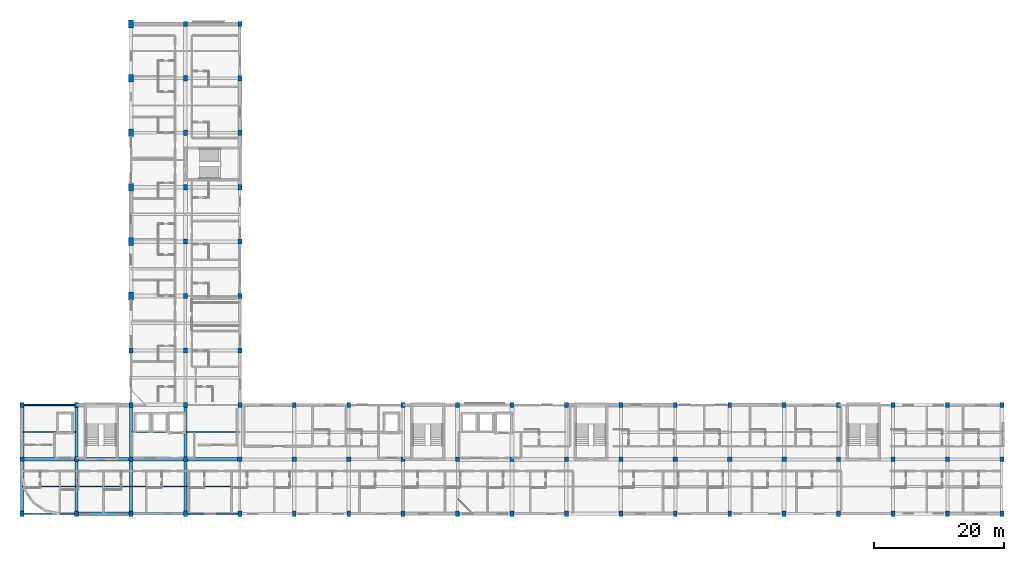
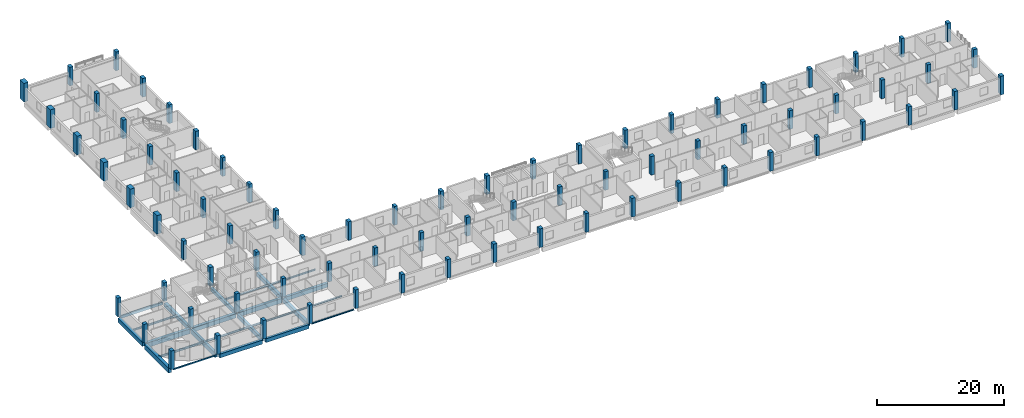
# One storey, part 1 of 26: 78 columns, 24 beams.
"""IFC4 building model written with IfcOpenShell, lengths in metres."""

from ifc_helpers import new_model, si_unit, derived_unit, direction, frame, origin, origin_2d, place, context, subcontext, project, spatial, rectangle, hollow_rectangle, i_section, extrude, material, material_profile, profile_set, type_object, element, save


model = new_model("IFC4")

# Units and contexts
model_context = context("Model", 3, precision=1e-05, world=origin(), true_north=direction((0.0, 1.0)))
body_context = subcontext(model_context, "Body", "Model", "MODEL_VIEW")
ifc_project = project(units=[si_unit("LENGTHUNIT", "METRE"), si_unit("AREAUNIT", "SQUARE_METRE"), si_unit("VOLUMEUNIT", "CUBIC_METRE"), si_unit("PLANEANGLEUNIT", "RADIAN"), si_unit("MASSUNIT", "GRAM", prefix="KILO"), derived_unit("THERMALTRANSMITTANCEUNIT", [(si_unit("POWERUNIT", "WATT"), 1), (si_unit("LENGTHUNIT", "METRE"), -2), (si_unit("THERMODYNAMICTEMPERATUREUNIT", "KELVIN"), -1)])], contexts=[model_context])

# Site, building, storey
site_placement = place(None, origin())
site = spatial("IfcSite", under=ifc_project, at=site_placement, CompositionType="ELEMENT")
building_placement = place(site_placement, origin())
building = spatial("IfcBuilding", under=site, at=building_placement, Name="Barrovel Congress Hotel", CompositionType="ELEMENT")
storey_placement = place(building_placement, frame((0.0, 0.0, 21.89990234375)))
storey = spatial("IfcBuildingStorey", under=building, at=storey_placement, Name="L05", CompositionType="ELEMENT", Elevation=21.89990234375)

# Columns
ifc_material_1 = material(Name="Concrete C40", Category="concrete")
ifc_material_profile_1 = material_profile(ifc_material_1, rectangle(XDim=0.60009765625, YDim=0.800048828125, at=origin_2d()), Name="RC600x800")
ifc_profile_set_1 = profile_set([ifc_material_profile_1], Name="Concrete C40")
column_type_1 = type_object("IfcColumnType", Name="COL-RC600x800", PredefinedType="COLUMN", material=ifc_profile_set_1)
for number, where, z_axis, x_axis, name in (
    (1, (16.800048828125, 4.199951171875, 0.0), (0.0, 0.0, 1.0), (1.0, 0.0, 0.0), "COL:L05:16.8:4.2"),
    (2, (16.800048828125, 21.0, 0.0), (0.0, 0.0, 1.0), (1.0, 0.0, 0.0), "COL:L05:16.8:21.0"),
    (3, (25.199951171875, 4.199951171875, 0.0), (0.0, 0.0, 1.0), (1.0, 0.0, 0.0), "COL:L05:25.2:4.2"),
    (4, (25.199951171875, 21.0, 0.0), (0.0, 0.0, 1.0), (1.0, 0.0, 0.0), "COL:L05:25.2:21.0"),
    (5, (33.60009765625, 4.199951171875, 0.0), (0.0, 0.0, 1.0), (1.0, 0.0, 0.0), "COL:L05:33.6:4.2"),
    (6, (33.60009765625, 21.0, 0.0), (0.0, 0.0, 1.0), (1.0, 0.0, 0.0), "COL:L05:33.6:21.0"),
    (7, (33.60009765625, 29.39990234375, 0.0), (0.0, 0.0, 1.0), (1.0, 0.0, 0.0), "COL:L05:33.6:29.4"),
    (8, (42.0, 4.199951171875, 0.0), (0.0, 0.0, 1.0), (1.0, 0.0, 0.0), "COL:L05:42.0:4.2"),
    (9, (42.0, 21.0, 0.0), (0.0, 0.0, 1.0), (1.0, 0.0, 0.0), "COL:L05:42.0:21.0"),
    (10, (42.0, 29.39990234375, 0.0), (0.0, 0.0, 1.0), (1.0, 0.0, 0.0), "COL:L05:42.0:29.4"),
    (11, (42.0, 37.800048828125, 0.0), (0.0, 0.0, 1.0), (1.0, 0.0, 0.0), "COL:L05:42.0:37.8"),
    (12, (42.0, 46.199951171875, 0.0), (0.0, 0.0, 1.0), (1.0, 0.0, 0.0), "COL:L05:42.0:46.2"),
    (13, (42.0, 54.60009765625, 0.0), (0.0, 0.0, 1.0), (1.0, 0.0, 0.0), "COL:L05:42.0:54.6"),
    (14, (42.0, 63.0, 0.0), (0.0, 0.0, 1.0), (1.0, 0.0, 0.0), "COL:L05:42.0:63.0"),
    (15, (42.0, 71.39990234375, 0.0), (0.0, 0.0, 1.0), (1.0, 0.0, 0.0), "COL:L05:42.0:71.4"),
    (16, (42.0, 79.800048828125, 0.0), (0.0, 0.0, 1.0), (1.0, 0.0, 0.0), "COL:L05:42.0:79.8"),
    (17, (50.39990234375, 4.199951171875, 0.0), (0.0, 0.0, 1.0), (1.0, 0.0, 0.0), "COL:L05:50.4:4.2"),
    (18, (50.39990234375, 21.0, 0.0), (0.0, 0.0, 1.0), (1.0, 0.0, 0.0), "COL:L05:50.4:21.0"),
    (19, (50.39990234375, 29.39990234375, 0.0), (0.0, 0.0, 1.0), (1.0, 0.0, 0.0), "COL:L05:50.4:29.4"),
    (20, (50.39990234375, 37.800048828125, 0.0), (0.0, 0.0, 1.0), (1.0, 0.0, 0.0), "COL:L05:50.4:37.8"),
    (21, (50.39990234375, 46.199951171875, 0.0), (0.0, 0.0, 1.0), (1.0, 0.0, 0.0), "COL:L05:50.4:46.2"),
    (22, (50.39990234375, 54.60009765625, 0.0), (0.0, 0.0, 1.0), (1.0, 0.0, 0.0), "COL:L05:50.4:54.6"),
    (23, (50.39990234375, 63.0, 0.0), (0.0, 0.0, 1.0), (1.0, 0.0, 0.0), "COL:L05:50.4:63.0"),
    (24, (50.39990234375, 71.39990234375, 0.0), (0.0, 0.0, 1.0), (1.0, 0.0, 0.0), "COL:L05:50.4:71.4"),
    (25, (50.39990234375, 79.800048828125, 0.0), (0.0, 0.0, 1.0), (1.0, 0.0, 0.0), "COL:L05:50.4:79.8"),
    (26, (58.800048828125, 4.199951171875, 0.0), (0.0, 0.0, 1.0), (1.0, 0.0, 0.0), "COL:L05:58.8:4.2"),
    (27, (58.800048828125, 21.0, 0.0), (0.0, 0.0, 1.0), (1.0, 0.0, 0.0), "COL:L05:58.8:21.0"),
    (28, (67.199951171875, 4.199951171875, 0.0), (0.0, 0.0, 1.0), (1.0, 0.0, 0.0), "COL:L05:67.2:4.2"),
    (29, (67.199951171875, 21.0, 0.0), (0.0, 0.0, 1.0), (1.0, 0.0, 0.0), "COL:L05:67.2:21.0"),
    (30, (75.60009765625, 4.199951171875, 0.0), (0.0, 0.0, 1.0), (1.0, 0.0, 0.0), "COL:L05:75.6:4.2"),
    (31, (75.60009765625, 21.0, 0.0), (0.0, 0.0, 1.0), (1.0, 0.0, 0.0), "COL:L05:75.6:21.0"),
    (32, (84.0, 4.199951171875, 0.0), (0.0, 0.0, 1.0), (1.0, 0.0, 0.0), "COL:L05:84.0:4.2"),
    (33, (84.0, 21.0, 0.0), (0.0, 0.0, 1.0), (1.0, 0.0, 0.0), "COL:L05:84.0:21.0"),
    (34, (92.39990234375, 4.199951171875, 0.0), (0.0, 0.0, 1.0), (1.0, 0.0, 0.0), "COL:L05:92.4:4.2"),
    (35, (92.39990234375, 21.0, 0.0), (0.0, 0.0, 1.0), (1.0, 0.0, 0.0), "COL:L05:92.4:21.0"),
    (36, (100.800048828125, 4.199951171875, 0.0), (0.0, 0.0, 1.0), (1.0, 0.0, 0.0), "COL:L05:100.8:4.2"),
    (37, (100.800048828125, 21.0, 0.0), (0.0, 0.0, 1.0), (1.0, 0.0, 0.0), "COL:L05:100.8:21.0"),
    (38, (109.199951171875, 4.199951171875, 0.0), (0.0, 0.0, 1.0), (1.0, 0.0, 0.0), "COL:L05:109.2:4.2"),
    (39, (109.199951171875, 21.0, 0.0), (0.0, 0.0, 1.0), (1.0, 0.0, 0.0), "COL:L05:109.2:21.0"),
    (40, (117.60009765625, 4.199951171875, 0.0), (0.0, 0.0, 1.0), (1.0, 0.0, 0.0), "COL:L05:117.6:4.2"),
    (41, (117.60009765625, 21.0, 0.0), (0.0, 0.0, 1.0), (1.0, 0.0, 0.0), "COL:L05:117.6:21.0"),
    (42, (126.0, 4.199951171875, 0.0), (0.0, 0.0, 1.0), (1.0, 0.0, 0.0), "COL:L05:126.0:4.2"),
    (43, (126.0, 21.0, 0.0), (0.0, 0.0, 1.0), (1.0, 0.0, 0.0), "COL:L05:126.0:21.0"),
    (44, (134.39990234375, 4.199951171875, 0.0), (0.0, 0.0, 1.0), (1.0, 0.0, 0.0), "COL:L05:134.4:4.2"),
    (45, (134.39990234375, 21.0, 0.0), (0.0, 0.0, 1.0), (1.0, 0.0, 0.0), "COL:L05:134.4:21.0"),
    (46, (142.800048828125, 4.199951171875, 0.0), (0.0, 0.0, 1.0), (1.0, 0.0, 0.0), "COL:L05:142.8:4.2"),
    (47, (142.800048828125, 21.0, 0.0), (0.0, 0.0, 1.0), (1.0, 0.0, 0.0), "COL:L05:142.8:21.0"),
    (48, (151.199951171875, 4.199951171875, 0.0), (0.0, 0.0, 1.0), (1.0, 0.0, 0.0), "COL:L05:151.2:4.2"),
    (49, (151.199951171875, 21.0, 0.0), (0.0, 0.0, 1.0), (1.0, 0.0, 0.0), "COL:L05:151.2:21.0"),
    (50, (159.60009765625, 4.199951171875, 0.0), (0.0, 0.0, 1.0), (1.0, 0.0, 0.0), "COL:L05:159.6:4.2"),
    (51, (159.60009765625, 21.0, 0.0), (0.0, 0.0, 1.0), (1.0, 0.0, 0.0), "COL:L05:159.6:21.0"),
    (52, (168.0, 4.199951171875, 0.0), (0.0, 0.0, 1.0), (1.0, 0.0, 0.0), "COL:L05:168.0:4.2"),
    (53, (168.0, 21.0, 0.0), (0.0, 0.0, 1.0), (1.0, 0.0, 0.0), "COL:L05:168.0:21.0"),
):
    element("IfcColumn", number, at=place(storey_placement, frame(where, z_axis=z_axis, x_axis=x_axis)), inside=storey, type_object=column_type_1, Name=name, PredefinedType="COLUMN", context=body_context, shape_type="SweptSolid", body=[
        extrude(rectangle(XDim=0.60009765625, YDim=0.800048828125, at=origin_2d()), origin(), (0.0, 0.0, 1.0), 3.60009765625),
    ])
ifc_material_profile_2 = material_profile(ifc_material_1, rectangle(XDim=0.64990234375, YDim=0.64990234375, at=origin_2d()), Name="RC650x650")
ifc_profile_set_2 = profile_set([ifc_material_profile_2], Name="Concrete C40")
column_type_2 = type_object("IfcColumnType", Name="COL-RC650x650", PredefinedType="COLUMN", material=ifc_profile_set_2)
for number, where, z_axis, x_axis, name in (
    (54, (16.800048828125, 12.60009765625, 0.0), (0.0, 0.0, 1.0), (1.0, 0.0, 0.0), "COL:L05:16.8:12.6"),
    (55, (25.199951171875, 12.60009765625, 0.0), (0.0, 0.0, 1.0), (1.0, 0.0, 0.0), "COL:L05:25.2:12.6"),
    (56, (33.60009765625, 12.60009765625, 0.0), (0.0, 0.0, 1.0), (1.0, 0.0, 0.0), "COL:L05:33.6:12.6"),
    (57, (42.0, 12.60009765625, 0.0), (0.0, 0.0, 1.0), (1.0, 0.0, 0.0), "COL:L05:42.0:12.6"),
    (58, (50.39990234375, 12.60009765625, 0.0), (0.0, 0.0, 1.0), (1.0, 0.0, 0.0), "COL:L05:50.4:12.6"),
    (59, (58.800048828125, 12.60009765625, 0.0), (0.0, 0.0, 1.0), (1.0, 0.0, 0.0), "COL:L05:58.8:12.6"),
    (60, (67.199951171875, 12.60009765625, 0.0), (0.0, 0.0, 1.0), (1.0, 0.0, 0.0), "COL:L05:67.2:12.6"),
    (61, (75.60009765625, 12.60009765625, 0.0), (0.0, 0.0, 1.0), (1.0, 0.0, 0.0), "COL:L05:75.6:12.6"),
    (62, (84.0, 12.60009765625, 0.0), (0.0, 0.0, 1.0), (1.0, 0.0, 0.0), "COL:L05:84.0:12.6"),
    (63, (92.39990234375, 12.60009765625, 0.0), (0.0, 0.0, 1.0), (1.0, 0.0, 0.0), "COL:L05:92.4:12.6"),
    (64, (100.800048828125, 12.60009765625, 0.0), (0.0, 0.0, 1.0), (1.0, 0.0, 0.0), "COL:L05:100.8:12.6"),
    (65, (109.199951171875, 12.60009765625, 0.0), (0.0, 0.0, 1.0), (1.0, 0.0, 0.0), "COL:L05:109.2:12.6"),
    (66, (117.60009765625, 12.60009765625, 0.0), (0.0, 0.0, 1.0), (1.0, 0.0, 0.0), "COL:L05:117.6:12.6"),
    (67, (126.0, 12.60009765625, 0.0), (0.0, 0.0, 1.0), (1.0, 0.0, 0.0), "COL:L05:126.0:12.6"),
    (68, (134.39990234375, 12.60009765625, 0.0), (0.0, 0.0, 1.0), (1.0, 0.0, 0.0), "COL:L05:134.4:12.6"),
    (69, (142.800048828125, 12.60009765625, 0.0), (0.0, 0.0, 1.0), (1.0, 0.0, 0.0), "COL:L05:142.8:12.6"),
    (70, (151.199951171875, 12.60009765625, 0.0), (0.0, 0.0, 1.0), (1.0, 0.0, 0.0), "COL:L05:151.2:12.6"),
    (71, (159.60009765625, 12.60009765625, 0.0), (0.0, 0.0, 1.0), (1.0, 0.0, 0.0), "COL:L05:159.6:12.6"),
    (72, (168.0, 12.60009765625, 0.0), (0.0, 0.0, 1.0), (1.0, 0.0, 0.0), "COL:L05:168.0:12.6"),
):
    element("IfcColumn", number, at=place(storey_placement, frame(where, z_axis=z_axis, x_axis=x_axis)), inside=storey, type_object=column_type_2, Name=name, PredefinedType="COLUMN", context=body_context, shape_type="SweptSolid", body=[
        extrude(rectangle(XDim=0.64990234375, YDim=0.64990234375, at=origin_2d()), origin(), (0.0, 0.0, 1.0), 3.60009765625),
    ])
ifc_material_profile_3 = material_profile(ifc_material_1, rectangle(XDim=0.800048828125, YDim=1.199951171875, at=origin_2d()), Name="RC800x1200")
ifc_profile_set_3 = profile_set([ifc_material_profile_3], Name="Concrete C40")
column_type_3 = type_object("IfcColumnType", Name="COL-RC800x1200", PredefinedType="COLUMN", material=ifc_profile_set_3)
for number, where, z_axis, x_axis, name in (
    (73, (33.60009765625, 37.800048828125, 0.0), (0.0, 0.0, 1.0), (1.0, 0.0, 0.0), "COL:L05:33.6:37.8"),
    (74, (33.60009765625, 46.199951171875, 0.0), (0.0, 0.0, 1.0), (1.0, 0.0, 0.0), "COL:L05:33.6:46.2"),
    (75, (33.60009765625, 54.60009765625, 0.0), (0.0, 0.0, 1.0), (1.0, 0.0, 0.0), "COL:L05:33.6:54.6"),
    (76, (33.60009765625, 63.0, 0.0), (0.0, 0.0, 1.0), (1.0, 0.0, 0.0), "COL:L05:33.6:63.0"),
    (77, (33.60009765625, 71.39990234375, 0.0), (0.0, 0.0, 1.0), (1.0, 0.0, 0.0), "COL:L05:33.6:71.4"),
    (78, (33.60009765625, 79.800048828125, 0.0), (0.0, 0.0, 1.0), (1.0, 0.0, 0.0), "COL:L05:33.6:79.8"),
):
    element("IfcColumn", number, at=place(storey_placement, frame(where, z_axis=z_axis, x_axis=x_axis)), inside=storey, type_object=column_type_3, Name=name, PredefinedType="COLUMN", context=body_context, shape_type="SweptSolid", body=[
        extrude(rectangle(XDim=0.800048828125, YDim=1.199951171875, at=origin_2d()), origin(), (0.0, 0.0, 1.0), 3.60009765625),
    ])

# Beams
ifc_material_profile_4 = material_profile(ifc_material_1, rectangle(XDim=0.25, YDim=0.5, at=origin_2d()), Name="RC250x500")
ifc_profile_set_4 = profile_set([ifc_material_profile_4], Name="Concrete C40")
beam_type_1 = type_object("IfcBeamType", Name="BM-RC250x500", PredefinedType="SPANDREL", material=ifc_profile_set_4)
beam_1_placement = place(storey_placement, frame((17.10009765625, 21.0, -0.469970703125), z_axis=(1.0, 0.0, 0.0), x_axis=(0.0, 1.0, 0.0)))
element("IfcBeam", 79, at=beam_1_placement, inside=storey, type_object=beam_type_1, Name="BMX:L05:21.0:16.8-25.2", PredefinedType="SPANDREL", context=body_context, shape_type="SweptSolid", body=[
    extrude(rectangle(XDim=0.25, YDim=0.5, at=origin_2d()), origin(), (0.0, 0.0, 1.0), 7.7998046875),
])
ifc_material_profile_5 = material_profile(ifc_material_1, rectangle(XDim=0.449951171875, YDim=0.64990234375, at=origin_2d()), Name="RC450x650")
ifc_profile_set_5 = profile_set([ifc_material_profile_5], Name="Concrete C40")
beam_type_2 = type_object("IfcBeamType", Name="BM-RC450x650", PredefinedType="BEAM", material=ifc_profile_set_5)
beam_2_placement = place(storey_placement, frame((33.60009765625, 12.925048828125, -0.544921875), z_axis=(0.0, 1.0, 0.0), x_axis=(-1.0, 0.0, 0.0)))
element("IfcBeam", 80, at=beam_2_placement, inside=storey, type_object=beam_type_2, Name="BMY:L05:33.6:12.6-21.0", PredefinedType="BEAM", context=body_context, shape_type="SweptSolid", body=[
    extrude(rectangle(XDim=0.449951171875, YDim=0.64990234375, at=origin_2d()), origin(), (0.0, 0.0, 1.0), 7.675048828125),
])
ifc_material_profile_6 = material_profile(ifc_material_1, rectangle(XDim=0.449951171875, YDim=0.75, at=origin_2d()), Name="RC450x750")
ifc_profile_set_6 = profile_set([ifc_material_profile_6], Name="Concrete C40")
beam_type_3 = type_object("IfcBeamType", Name="BM-RC450x750", PredefinedType="BEAM", material=ifc_profile_set_6)
beam_3_placement = place(storey_placement, frame((33.89990234375, 4.199951171875, -0.594970703125), z_axis=(1.0, 0.0, 0.0), x_axis=(0.0, 1.0, 0.0)))
element("IfcBeam", 81, at=beam_3_placement, inside=storey, type_object=beam_type_3, Name="BMX:L05:4.2:33.6-42.0", PredefinedType="BEAM", context=body_context, shape_type="SweptSolid", body=[
    extrude(rectangle(XDim=0.449951171875, YDim=0.75, at=origin_2d()), origin(), (0.0, 0.0, 1.0), 7.800048828125),
])
beam_4_placement = place(storey_placement, frame((33.60009765625, 4.60009765625, -0.594970703125), z_axis=(0.0, 1.0, 0.0), x_axis=(-1.0, 0.0, 0.0)))
element("IfcBeam", 82, at=beam_4_placement, inside=storey, type_object=beam_type_3, Name="BMY:L05:33.6:4.2-12.6", PredefinedType="BEAM", context=body_context, shape_type="SweptSolid", body=[
    extrude(rectangle(XDim=0.449951171875, YDim=0.75, at=origin_2d()), origin(), (0.0, 0.0, 1.0), 7.6748046875),
])
beam_5_placement = place(storey_placement, frame((42.0, 12.925048828125, -0.594970703125), z_axis=(0.0, 1.0, 0.0), x_axis=(-1.0, 0.0, 0.0)))
element("IfcBeam", 83, at=beam_5_placement, inside=storey, type_object=beam_type_3, Name="BMY:L05:42.0:12.6-21.0", PredefinedType="BEAM", context=body_context, shape_type="SweptSolid", body=[
    extrude(rectangle(XDim=0.449951171875, YDim=0.75, at=origin_2d()), origin(), (0.0, 0.0, 1.0), 7.675048828125),
])
ifc_material_profile_7 = material_profile(ifc_material_1, rectangle(XDim=0.5, YDim=0.75, at=origin_2d()), Name="RC500x750")
ifc_profile_set_7 = profile_set([ifc_material_profile_7], Name="Concrete C40")
beam_type_4 = type_object("IfcBeamType", Name="BM-RC500x750", PredefinedType="BEAM", material=ifc_profile_set_7)
beam_6_placement = place(storey_placement, frame((25.5, 4.199951171875, -0.594970703125), z_axis=(1.0, 0.0, 0.0), x_axis=(0.0, 1.0, 0.0)))
element("IfcBeam", 84, at=beam_6_placement, inside=storey, type_object=beam_type_4, Name="BMX:L05:4.2:25.2-33.6", PredefinedType="BEAM", context=body_context, shape_type="SweptSolid", body=[
    extrude(rectangle(XDim=0.5, YDim=0.75, at=origin_2d()), origin(), (0.0, 0.0, 1.0), 7.800048828125),
])
beam_7_placement = place(storey_placement, frame((42.324951171875, 12.60009765625, -0.594970703125), z_axis=(1.0, 0.0, 0.0), x_axis=(0.0, 1.0, 0.0)))
element("IfcBeam", 85, at=beam_7_placement, inside=storey, type_object=beam_type_4, Name="BMX:L05:12.6:42.0-50.4", PredefinedType="BEAM", context=body_context, shape_type="SweptSolid", body=[
    extrude(rectangle(XDim=0.5, YDim=0.75, at=origin_2d()), origin(), (0.0, 0.0, 1.0), 7.75),
])
beam_8_placement = place(storey_placement, frame((25.199951171875, 12.925048828125, -0.594970703125), z_axis=(0.0, 1.0, 0.0), x_axis=(-1.0, 0.0, 0.0)))
element("IfcBeam", 86, at=beam_8_placement, inside=storey, type_object=beam_type_4, Name="BMY:L05:25.2:12.6-21.0", PredefinedType="BEAM", context=body_context, shape_type="SweptSolid", body=[
    extrude(rectangle(XDim=0.5, YDim=0.75, at=origin_2d()), origin(), (0.0, 0.0, 1.0), 7.675048828125),
])
beam_9_placement = place(storey_placement, frame((42.0, 4.60009765625, -0.594970703125), z_axis=(0.0, 1.0, 0.0), x_axis=(-1.0, 0.0, 0.0)))
element("IfcBeam", 87, at=beam_9_placement, inside=storey, type_object=beam_type_4, Name="BMY:L05:42.0:4.2-12.6", PredefinedType="BEAM", context=body_context, shape_type="SweptSolid", body=[
    extrude(rectangle(XDim=0.5, YDim=0.75, at=origin_2d()), origin(), (0.0, 0.0, 1.0), 7.6748046875),
])
ifc_material_profile_8 = material_profile(ifc_material_1, rectangle(XDim=0.5, YDim=0.85009765625, at=origin_2d()), Name="RC500x850")
ifc_profile_set_8 = profile_set([ifc_material_profile_8], Name="Concrete C40")
beam_type_5 = type_object("IfcBeamType", Name="BM-RC500x850", PredefinedType="BEAM", material=ifc_profile_set_8)
beam_10_placement = place(storey_placement, frame((33.925048828125, 12.60009765625, -0.64501953125), z_axis=(1.0, 0.0, 0.0), x_axis=(0.0, 1.0, 0.0)))
element("IfcBeam", 88, at=beam_10_placement, inside=storey, type_object=beam_type_5, Name="BMX:L05:12.6:33.6-42.0", PredefinedType="BEAM", context=body_context, shape_type="SweptSolid", body=[
    extrude(rectangle(XDim=0.5, YDim=0.85009765625, at=origin_2d()), origin(), (0.0, 0.0, 1.0), 7.75),
])
beam_11_placement = place(storey_placement, frame((25.199951171875, 4.60009765625, -0.64501953125), z_axis=(0.0, 1.0, 0.0), x_axis=(-1.0, 0.0, 0.0)))
element("IfcBeam", 89, at=beam_11_placement, inside=storey, type_object=beam_type_5, Name="BMY:L05:25.2:4.2-12.6", PredefinedType="BEAM", context=body_context, shape_type="SweptSolid", body=[
    extrude(rectangle(XDim=0.5, YDim=0.85009765625, at=origin_2d()), origin(), (0.0, 0.0, 1.0), 7.6748046875),
])
ifc_material_profile_9 = material_profile(ifc_material_1, rectangle(XDim=0.550048828125, YDim=0.800048828125, at=origin_2d()), Name="RC550x800")
ifc_profile_set_9 = profile_set([ifc_material_profile_9], Name="Concrete C40")
beam_type_6 = type_object("IfcBeamType", Name="BM-RC550x800", PredefinedType="BEAM", material=ifc_profile_set_9)
beam_12_placement = place(storey_placement, frame((25.52490234375, 12.60009765625, -0.619873046875), z_axis=(1.0, 0.0, 0.0), x_axis=(0.0, 1.0, 0.0)))
element("IfcBeam", 90, at=beam_12_placement, inside=storey, type_object=beam_type_6, Name="BMX:L05:12.6:25.2-33.6", PredefinedType="BEAM", context=body_context, shape_type="SweptSolid", body=[
    extrude(rectangle(XDim=0.550048828125, YDim=0.800048828125, at=origin_2d()), origin(), (0.0, 0.0, 1.0), 7.75),
])
beam_13_placement = place(storey_placement, frame((16.800048828125, 12.925048828125, -0.619873046875), z_axis=(0.0, 1.0, 0.0), x_axis=(-1.0, 0.0, 0.0)))
element("IfcBeam", 91, at=beam_13_placement, inside=storey, type_object=beam_type_6, Name="BMY:L05:16.8:12.6-21.0", PredefinedType="BEAM", context=body_context, shape_type="SweptSolid", body=[
    extrude(rectangle(XDim=0.550048828125, YDim=0.800048828125, at=origin_2d()), origin(), (0.0, 0.0, 1.0), 7.675048828125),
])
ifc_material_profile_10 = material_profile(ifc_material_1, rectangle(XDim=0.550048828125, YDim=0.89990234375, at=origin_2d()), Name="RC550x900")
ifc_profile_set_10 = profile_set([ifc_material_profile_10], Name="Concrete C40")
beam_type_7 = type_object("IfcBeamType", Name="BM-RC550x900", PredefinedType="BEAM", material=ifc_profile_set_10)
beam_14_placement = place(storey_placement, frame((17.125, 12.60009765625, -0.669921875), z_axis=(1.0, 0.0, 0.0), x_axis=(0.0, 1.0, 0.0)))
element("IfcBeam", 92, at=beam_14_placement, inside=storey, type_object=beam_type_7, Name="BMX:L05:12.6:16.8-25.2", PredefinedType="BEAM", context=body_context, shape_type="SweptSolid", body=[
    extrude(rectangle(XDim=0.550048828125, YDim=0.89990234375, at=origin_2d()), origin(), (0.0, 0.0, 1.0), 7.75),
])
beam_15_placement = place(storey_placement, frame((16.800048828125, 4.60009765625, -0.669921875), z_axis=(0.0, 1.0, 0.0), x_axis=(-1.0, 0.0, 0.0)))
element("IfcBeam", 93, at=beam_15_placement, inside=storey, type_object=beam_type_7, Name="BMY:L05:16.8:4.2-12.6", PredefinedType="BEAM", context=body_context, shape_type="SweptSolid", body=[
    extrude(rectangle(XDim=0.550048828125, YDim=0.89990234375, at=origin_2d()), origin(), (0.0, 0.0, 1.0), 7.6748046875),
])
ifc_material_2 = material(Name="Steel ASTM A500 Grade C", Category="steel")
ifc_material_profile_11 = material_profile(ifc_material_2, hollow_rectangle(XDim=0.15234375, YDim=0.25390625, WallThickness=0.0087890625, InnerFilletRadius=0.0087890625, OuterFilletRadius=0.017578125, at=origin_2d()), Name="HSS254x152x9.5")
ifc_profile_set_11 = profile_set([ifc_material_profile_11], Name="Steel ASTM A500 Grade C")
beam_type_8 = type_object("IfcBeamType", Name="SBM-HSS254x152x9.5", PredefinedType="SPANDREL", material=ifc_profile_set_11)
beam_16_placement = place(storey_placement, frame((17.10009765625, 4.199951171875, -0.346923828125), z_axis=(1.0, 0.0, 0.0), x_axis=(0.0, 1.0, 0.0)))
element("IfcBeam", 94, at=beam_16_placement, inside=storey, type_object=beam_type_8, Name="BMX:L05:4.2:16.8-25.2", PredefinedType="SPANDREL", context=body_context, shape_type="SweptSolid", body=[
    extrude(hollow_rectangle(XDim=0.15234375, YDim=0.25390625, WallThickness=0.0087890625, InnerFilletRadius=0.0087890625, OuterFilletRadius=0.017578125, at=origin_2d()), origin(), (0.0, 0.0, 1.0), 7.7998046875),
])
ifc_material_3 = material(Name="Steel ASTM A992 Grade 50", Category="steel")
ifc_material_profile_12 = material_profile(ifc_material_3, i_section(OverallWidth=0.201904296875, OverallDepth=0.2470703125, WebThickness=0.00732421875, FlangeThickness=0.010986328125, FilletRadius=0.011962890625, at=origin_2d()), Name="W250x49")
ifc_profile_set_12 = profile_set([ifc_material_profile_12], Name="Steel ASTM A992 Grade 50")
beam_type_9 = type_object("IfcBeamType", Name="SBM-W250x49", PredefinedType="SPANDREL", material=ifc_profile_set_12)
beam_17_placement = place(storey_placement, frame((42.300048828125, 4.199951171875, -0.343505859375), z_axis=(1.0, 0.0, 0.0), x_axis=(0.0, 1.0, 0.0)))
element("IfcBeam", 95, at=beam_17_placement, inside=storey, type_object=beam_type_9, Name="BMX:L05:4.2:42.0-50.4", PredefinedType="SPANDREL", context=body_context, shape_type="SweptSolid", body=[
    extrude(i_section(OverallWidth=0.201904296875, OverallDepth=0.2470703125, WebThickness=0.00732421875, FlangeThickness=0.010986328125, FilletRadius=0.011962890625, at=origin_2d()), origin(), (0.0, 0.0, 1.0), 7.800048828125),
])
ifc_material_profile_13 = material_profile(ifc_material_3, i_section(OverallWidth=0.1650390625, OverallDepth=0.31005859375, WebThickness=0.005859375, FlangeThickness=0.009765625, FilletRadius=0.010986328125, at=origin_2d()), Name="W310x39")
ifc_profile_set_13 = profile_set([ifc_material_profile_13], Name="Steel ASTM A992 Grade 50")
beam_type_10 = type_object("IfcBeamType", Name="SBM-W310x39", PredefinedType="JOIST", material=ifc_profile_set_13)
for number, where, z_axis, x_axis, name in (
    (96, (33.679931640625, 16.800048828125, -0.375), (1.0, 0.0, 0.0), (0.0, 1.0, 0.0), "JST:L05:33.6:16.8"),
    (97, (42.080078125, 16.800048828125, -0.375), (1.0, 0.0, 0.0), (0.0, 1.0, 0.0), "JST:L05:42.0:16.8"),
):
    element("IfcBeam", number, at=place(storey_placement, frame(where, z_axis=z_axis, x_axis=x_axis)), inside=storey, type_object=beam_type_10, Name=name, PredefinedType="JOIST", context=body_context, shape_type="SweptSolid", body=[
        extrude(i_section(OverallWidth=0.1650390625, OverallDepth=0.31005859375, WebThickness=0.005859375, FlangeThickness=0.009765625, FilletRadius=0.010986328125, at=origin_2d()), origin(), (0.0, 0.0, 1.0), 8.239990234375),
    ])
ifc_material_profile_14 = material_profile(ifc_material_3, i_section(OverallWidth=0.1669921875, OverallDepth=0.31689453125, WebThickness=0.007568359375, FlangeThickness=0.01318359375, FilletRadius=0.010986328125, at=origin_2d()), Name="W310x52")
ifc_profile_set_14 = profile_set([ifc_material_profile_14], Name="Steel ASTM A992 Grade 50")
beam_type_11 = type_object("IfcBeamType", Name="SBM-W310x52", PredefinedType="JOIST", material=ifc_profile_set_14)
for number, where, z_axis, x_axis, name in (
    (98, (33.679931640625, 8.39990234375, -0.37841796875), (1.0, 0.0, 0.0), (0.0, 1.0, 0.0), "JST:L05:33.6:8.4"),
    (99, (42.080078125, 8.39990234375, -0.37841796875), (1.0, 0.0, 0.0), (0.0, 1.0, 0.0), "JST:L05:42.0:8.4"),
):
    element("IfcBeam", number, at=place(storey_placement, frame(where, z_axis=z_axis, x_axis=x_axis)), inside=storey, type_object=beam_type_11, Name=name, PredefinedType="JOIST", context=body_context, shape_type="SweptSolid", body=[
        extrude(i_section(OverallWidth=0.1669921875, OverallDepth=0.31689453125, WebThickness=0.007568359375, FlangeThickness=0.01318359375, FilletRadius=0.010986328125, at=origin_2d()), origin(), (0.0, 0.0, 1.0), 8.239990234375),
    ])
ifc_material_profile_15 = material_profile(ifc_material_3, i_section(OverallWidth=0.1708984375, OverallDepth=0.35205078125, WebThickness=0.0068359375, FlangeThickness=0.009765625, FilletRadius=0.011962890625, at=origin_2d()), Name="W360x44")
ifc_profile_set_15 = profile_set([ifc_material_profile_15], Name="Steel ASTM A992 Grade 50")
beam_type_12 = type_object("IfcBeamType", Name="SBM-W360x44", PredefinedType="JOIST", material=ifc_profile_set_15)
beam_18_placement = place(storey_placement, frame((25.280029296875, 8.39990234375, -0.39599609375), z_axis=(1.0, 0.0, 0.0), x_axis=(0.0, 1.0, 0.0)))
element("IfcBeam", 100, at=beam_18_placement, inside=storey, type_object=beam_type_12, Name="JST:L05:25.2:8.4", PredefinedType="JOIST", context=body_context, shape_type="SweptSolid", body=[
    extrude(i_section(OverallWidth=0.1708984375, OverallDepth=0.35205078125, WebThickness=0.0068359375, FlangeThickness=0.009765625, FilletRadius=0.011962890625, at=origin_2d()), origin(), (0.0, 0.0, 1.0), 8.239990234375),
])
ifc_material_profile_16 = material_profile(ifc_material_3, i_section(OverallWidth=0.172119140625, OverallDepth=0.35791015625, WebThickness=0.0078125, FlangeThickness=0.01318359375, FilletRadius=0.011962890625, at=origin_2d()), Name="W360x57")
ifc_profile_set_16 = profile_set([ifc_material_profile_16], Name="Steel ASTM A992 Grade 50")
beam_type_13 = type_object("IfcBeamType", Name="SBM-W360x57", PredefinedType="JOIST", material=ifc_profile_set_16)
beam_19_placement = place(storey_placement, frame((16.8798828125, 16.800048828125, -0.39892578125), z_axis=(1.0, 0.0, 0.0), x_axis=(0.0, 1.0, 0.0)))
element("IfcBeam", 101, at=beam_19_placement, inside=storey, type_object=beam_type_13, Name="JST:L05:16.8:16.8", PredefinedType="JOIST", context=body_context, shape_type="SweptSolid", body=[
    extrude(i_section(OverallWidth=0.172119140625, OverallDepth=0.35791015625, WebThickness=0.0078125, FlangeThickness=0.01318359375, FilletRadius=0.011962890625, at=origin_2d()), origin(), (0.0, 0.0, 1.0), 8.240234375),
])
ifc_material_profile_17 = material_profile(ifc_material_3, i_section(OverallWidth=0.177001953125, OverallDepth=0.403076171875, WebThickness=0.007568359375, FlangeThickness=0.010986328125, FilletRadius=0.011962890625, at=origin_2d()), Name="W410x53")
ifc_profile_set_17 = profile_set([ifc_material_profile_17], Name="Steel ASTM A992 Grade 50")
beam_type_14 = type_object("IfcBeamType", Name="SBM-W410x53", PredefinedType="JOIST", material=ifc_profile_set_17)
beam_20_placement = place(storey_placement, frame((16.8798828125, 8.39990234375, -0.42138671875), z_axis=(1.0, 0.0, 0.0), x_axis=(0.0, 1.0, 0.0)))
element("IfcBeam", 102, at=beam_20_placement, inside=storey, type_object=beam_type_14, Name="JST:L05:16.8:8.4", PredefinedType="JOIST", context=body_context, shape_type="SweptSolid", body=[
    extrude(i_section(OverallWidth=0.177001953125, OverallDepth=0.403076171875, WebThickness=0.007568359375, FlangeThickness=0.010986328125, FilletRadius=0.011962890625, at=origin_2d()), origin(), (0.0, 0.0, 1.0), 8.240234375),
])

save(model, "model.ifc")
